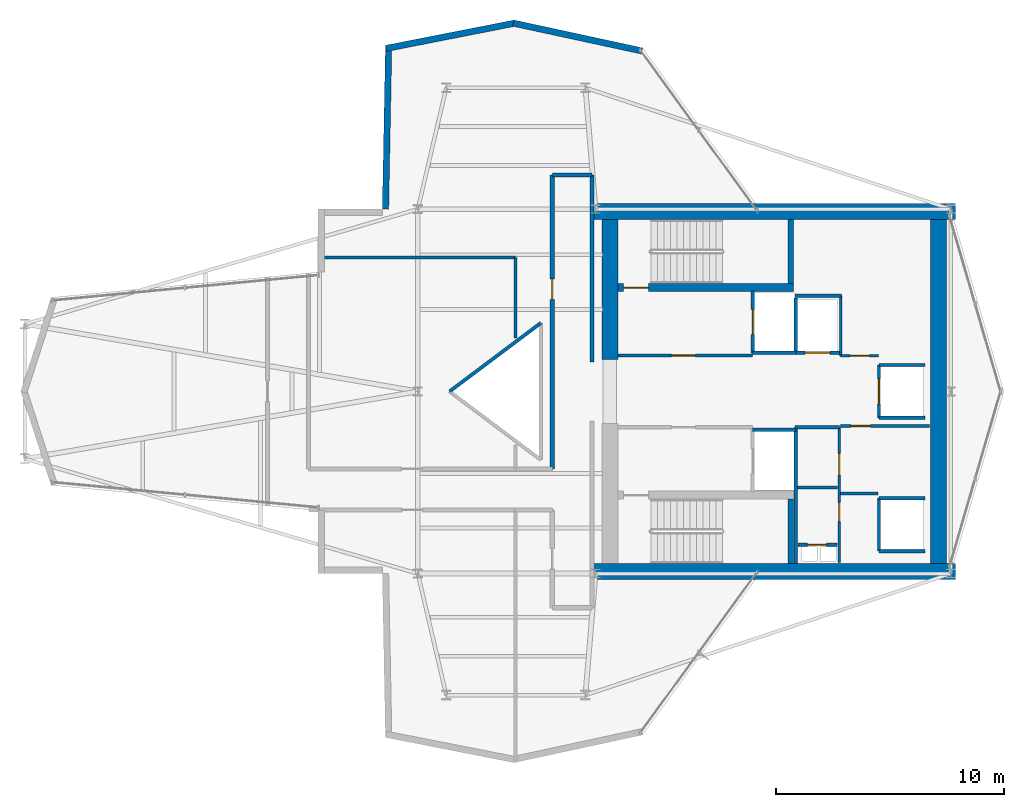
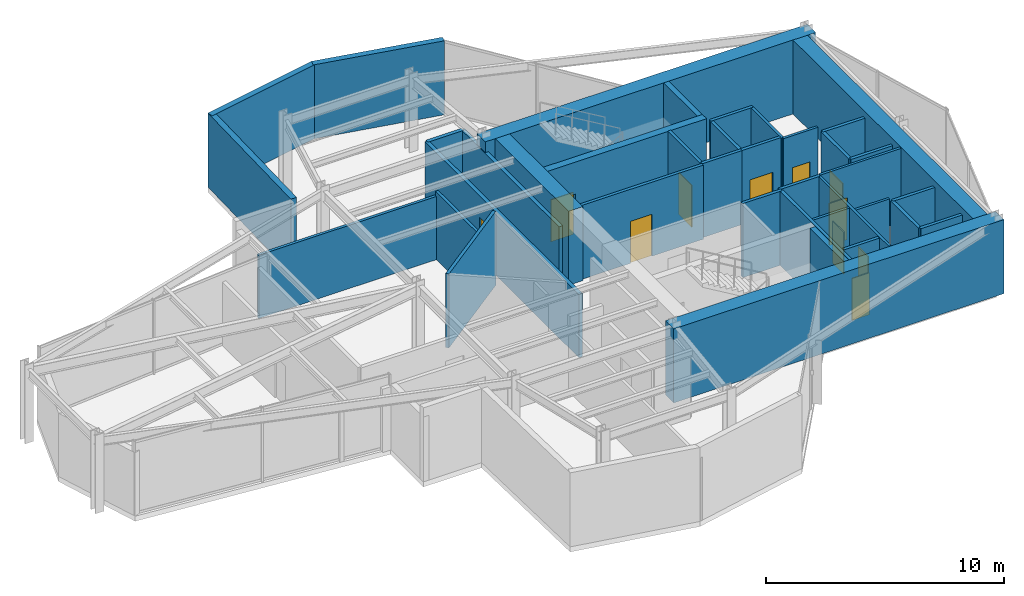
# One storey, part 19 of 21: 38 walls, 11 doors, 11 openings.
"""IFC4 building model written with IfcOpenShell, lengths in metres."""

from ifc_helpers import new_model, si_unit, direction, frame, frame_2d, origin, place, context, subcontext, project, spatial, rectangle, extrude, material, layer, layer_set, type_object, element, fill, save


model = new_model("IFC4")

# Units and contexts
model_context = context("Model", 3, precision=1e-05, world=origin(), true_north=direction((0.0, 1.0)))
body_context = subcontext(model_context, "Body", "Model", "MODEL_VIEW")
ifc_project = project(units=[si_unit("LENGTHUNIT", "METRE"), si_unit("AREAUNIT", "SQUARE_METRE"), si_unit("VOLUMEUNIT", "CUBIC_METRE"), si_unit("PLANEANGLEUNIT", "RADIAN"), si_unit("MASSUNIT", "GRAM", prefix="KILO")], contexts=[model_context])

# Site, building, storey
site_placement = place(None, origin())
site = spatial("IfcSite", under=ifc_project, at=site_placement, CompositionType="ELEMENT")
building_placement = place(site_placement, origin())
building = spatial("IfcBuilding", under=site, at=building_placement, Name="Veymaron Broadcast Tower", CompositionType="ELEMENT")
storey_placement = place(building_placement, frame((0.0, 0.0, 228.300048828125)))
storey = spatial("IfcBuildingStorey", under=building, at=storey_placement, Name="L53", CompositionType="ELEMENT", Elevation=228.300048828125)

# Walls
ifc_material_1 = material(Name="Precast concrete C40/50", Category="concrete")
ifc_layer_1 = layer(ifc_material_1, 0.280029296875)
ifc_layer_set_1 = layer_set([ifc_layer_1], Name="Precast concrete C40/50")
wall_type_1 = type_object("IfcWallType", Name="WALL-EXT-280", PredefinedType="STANDARD", material=ifc_layer_set_1)
wall_1_placement = place(storey_placement, frame((41.038818359375, 38.9453125, 0.0), z_axis=(0.0, 0.0, 1.0), x_axis=(-0.977403545606, 0.211381903286, 0.0)))
element("IfcWall", 1, at=wall_1_placement, inside=storey, type_object=wall_type_1, Name="L53 notched corner facade pier 6-1", PredefinedType="STANDARD", context=body_context, shape_type="SweptSolid", body=[
    extrude(rectangle(XDim=5.776123046875, YDim=0.280029296875, at=frame_2d((2.88818359375, 0.0))), origin(), (0.0, 0.0, 1.0), 3.7900390625),
])
wall_2_placement = place(storey_placement, frame((35.449951171875, 40.16552734375, 0.0), z_axis=(0.0, 0.0, 1.0), x_axis=(-0.981218426529, -0.192899972626, 0.0)))
element("IfcWall", 2, at=wall_2_placement, inside=storey, type_object=wall_type_1, Name="L53 notched corner facade pier 7-1", PredefinedType="STANDARD", context=body_context, shape_type="SweptSolid", body=[
    extrude(rectangle(XDim=5.753662109375, YDim=0.280029296875, at=frame_2d((2.876953125, 0.0))), origin(), (0.0, 0.0, 1.0), 3.7900390625),
])
wall_3_placement = place(storey_placement, frame((29.91748046875, 39.190185546875, 0.0), z_axis=(0.0, 0.0, 1.0), x_axis=(-0.019207643139, -0.999815516205, 0.0)))
element("IfcWall", 3, at=wall_3_placement, inside=storey, type_object=wall_type_1, Name="L53 notched corner facade pier 8-1", PredefinedType="STANDARD", context=body_context, shape_type="SweptSolid", body=[
    extrude(rectangle(XDim=7.194091796875, YDim=0.280029296875, at=frame_2d((3.59716796875, 0.0))), origin(), (0.0, 0.0, 1.0), 3.7900390625),
])

# Wall, opening, door
ifc_material_2 = material(Name="Gypsum fireboard and steel stud framing", Category="steel")
ifc_layer_2 = layer(ifc_material_2, 0.14990234375)
ifc_layer_set_2 = layer_set([ifc_layer_2], Name="Gypsum fireboard and steel stud framing")
wall_type_2 = type_object("IfcWallType", Name="WALL-FIRE-150", PredefinedType="PARTITIONING", material=ifc_layer_set_2)
wall_4_placement = place(storey_placement, frame((39.97998046875, 25.574951171875, 0.0), z_axis=(0.0, 0.0, 1.0), x_axis=(1.0, 0.0, 0.0)))
wall_4 = element("IfcWall", 4, at=wall_4_placement, inside=storey, type_object=wall_type_2, Name="L53 partition IW-L53-FFLN-S", PredefinedType="PARTITIONING", context=body_context, shape_type="SweptSolid", body=[
    extrude(rectangle(XDim=5.89990234375, YDim=0.14990234375, at=frame_2d((2.949951171875, 0.0))), origin(), (0.0, 0.0, 1.0), 3.7900390625),
])
opening_1_placement = place(wall_4_placement, frame((2.35009765625, 0.0, 0.0)))
opening_1 = element("IfcOpeningElement", 5, at=opening_1_placement, cuts=wall_4, Name="Opening ID-FL1", PredefinedType="OPENING", context=body_context, shape_type="SweptSolid", body=[
    extrude(rectangle(XDim=1.050048828125, YDim=2.14990234375, at=frame_2d((0.52490234375, 1.074951171875))), frame((0.0, 0.0849609375, 0.0), z_axis=(0.0, -1.0, 0.0), x_axis=(1.0, 0.0, 0.0)), (0.0, 0.0, 1.0), 0.169921875),
])
ifc_material_3 = material(Name="Fire-rated painted hollow steel ASTM A653", Category="steel")
door_type_1 = type_object("IfcDoorType", Name="DOOR-FIRE-1050", OperationType="NOTDEFINED", PredefinedType="DOOR", material=ifc_material_3)
door_1_placement = place(opening_1_placement, origin())
door_1 = element("IfcDoor", 6, at=door_1_placement, inside=storey, type_object=door_type_1, Name="L53 door DR-L53-FFLN", OperationType="SINGLE_SWING_LEFT", OverallHeight=2.14990234375, OverallWidth=1.050048828125, PredefinedType="DOOR", context=body_context, shape_type="SweptSolid", body=[
    extrude(rectangle(XDim=1.050048828125, YDim=2.14990234375, at=frame_2d((0.52490234375, 1.074951171875))), frame((0.0, 0.02490234375, 0.0), z_axis=(0.0, -1.0, 0.0), x_axis=(1.0, 0.0, 0.0)), (0.0, 0.0, 1.0), 0.050048828125),
])
fill(opening_1, door_1)

wall_5_placement = place(storey_placement, frame((45.89501953125, 25.68994140625, 0.0), z_axis=(0.0, 0.0, 1.0), x_axis=(0.0, 1.0, 0.0)))
wall_5 = element("IfcWall", 7, at=wall_5_placement, inside=storey, type_object=wall_type_2, Name="L53 partition IW-L53-SHW-FFL-1", PredefinedType="PARTITIONING", context=body_context, shape_type="SweptSolid", body=[
    extrude(rectangle(XDim=2.719970703125, YDim=0.14990234375, at=frame_2d((1.35986328125, 0.0))), origin(), (0.0, 0.0, 1.0), 3.7900390625),
])
opening_2_placement = place(wall_5_placement, frame((0.81005859375, 0.0, 0.0)))
opening_2 = element("IfcOpeningElement", 8, at=opening_2_placement, cuts=wall_5, Name="Opening LD", PredefinedType="OPENING", context=body_context, shape_type="SweptSolid", body=[
    extrude(rectangle(XDim=1.10009765625, YDim=2.14990234375, at=frame_2d((0.550048828125, 1.074951171875))), frame((0.0, 0.0849609375, 0.0), z_axis=(0.0, -1.0, 0.0), x_axis=(1.0, 0.0, 0.0)), (0.0, 0.0, 1.0), 0.169921875),
])
ifc_material_4 = material(Name="Brushed stainless steel AISI 304", Category="steel")
door_type_2 = type_object("IfcDoorType", Name="DOOR-LIFT-1100", OperationType="DOUBLE_DOOR_SLIDING", PredefinedType="DOOR", material=ifc_material_4)
door_2_placement = place(opening_2_placement, frame((1.10009765625, 0.0, 0.0), z_axis=(0.0, 0.0, 1.0), x_axis=(-1.0, 0.0, 0.0)))
door_2 = element("IfcDoor", 9, at=door_2_placement, inside=storey, type_object=door_type_2, Name="L53 door LD-L53-FFL-1", OperationType="DOUBLE_DOOR_SLIDING", OverallHeight=2.14990234375, OverallWidth=1.10009765625, PredefinedType="DOOR", context=body_context, shape_type="SweptSolid", body=[
    extrude(rectangle(XDim=1.10009765625, YDim=2.14990234375, at=frame_2d((0.550048828125, 1.074951171875))), frame((0.0, 0.02490234375, 0.0), z_axis=(0.0, -1.0, 0.0), x_axis=(1.0, 0.0, 0.0)), (0.0, 0.0, 1.0), 0.050048828125),
])
fill(opening_2, door_2)

# Walls
for number, where, z_axis, x_axis, name in (
    (10, (45.89501953125, 25.68994140625, 0.0), (0.0, 0.0, 1.0), (1.0, 0.0, 0.0), "L53 partition IW-L53-SHS-FFL-1"),
    (11, (45.89501953125, 22.31005859375, 0.0), (0.0, 0.0, 1.0), (1.0, 0.0, 0.0), "L53 partition IW-L53-SHN-FFL-2"),
):
    element("IfcWall", number, at=place(storey_placement, frame(where, z_axis=z_axis, x_axis=x_axis)), inside=storey, type_object=wall_type_2, Name=name, PredefinedType="PARTITIONING", context=body_context, shape_type="SweptSolid", body=[
        extrude(rectangle(XDim=1.9150390625, YDim=0.14990234375, at=frame_2d((0.95751953125, 0.0))), origin(), (0.0, 0.0, 1.0), 3.7900390625),
    ])

# Wall, opening, door
wall_6_placement = place(storey_placement, frame((47.7900390625, 25.695068359375, 0.0), z_axis=(0.0, 0.0, 1.0), x_axis=(1.0, 0.0, 0.0)))
wall_6 = element("IfcWall", 12, at=wall_6_placement, inside=storey, type_object=wall_type_2, Name="L53 partition IW-L53-SHS-SL-1", PredefinedType="PARTITIONING", context=body_context, shape_type="SweptSolid", body=[
    extrude(rectangle(XDim=1.919921875, YDim=0.14990234375, at=frame_2d((0.9599609375, 0.0))), origin(), (0.0, 0.0, 1.0), 3.7900390625),
])
opening_3_placement = place(wall_6_placement, frame((0.409912109375, 0.0, 0.0)))
opening_3 = element("IfcOpeningElement", 13, at=opening_3_placement, cuts=wall_6, Name="Opening LD", PredefinedType="OPENING", context=body_context, shape_type="SweptSolid", body=[
    extrude(rectangle(XDim=1.10009765625, YDim=2.14990234375, at=frame_2d((0.550048828125, 1.074951171875))), frame((0.0, 0.0849609375, 0.0), z_axis=(0.0, -1.0, 0.0), x_axis=(1.0, 0.0, 0.0)), (0.0, 0.0, 1.0), 0.169921875),
])
door_3_placement = place(opening_3_placement, frame((1.10009765625, 0.0, 0.0), z_axis=(0.0, 0.0, 1.0), x_axis=(-1.0, 0.0, 0.0)))
door_3 = element("IfcDoor", 14, at=door_3_placement, inside=storey, type_object=door_type_2, Name="L53 door LD-L53-SL-1", OperationType="DOUBLE_DOOR_SLIDING", OverallHeight=2.14990234375, OverallWidth=1.10009765625, PredefinedType="DOOR", context=body_context, shape_type="SweptSolid", body=[
    extrude(rectangle(XDim=1.10009765625, YDim=2.14990234375, at=frame_2d((0.550048828125, 1.074951171875))), frame((0.0, 0.02490234375, 0.0), z_axis=(0.0, -1.0, 0.0), x_axis=(1.0, 0.0, 0.0)), (0.0, 0.0, 1.0), 0.050048828125),
])
fill(opening_3, door_3)

# Wall
wall_7_placement = place(storey_placement, frame((47.7900390625, 25.695068359375, 0.0), z_axis=(0.0, 0.0, 1.0), x_axis=(0.0, 1.0, 0.0)))
element("IfcWall", 15, at=wall_7_placement, inside=storey, type_object=wall_type_2, Name="L53 partition IW-L53-SHW-SL-1", PredefinedType="PARTITIONING", context=body_context, shape_type="SweptSolid", body=[
    extrude(rectangle(XDim=2.4150390625, YDim=0.14990234375, at=frame_2d((1.20751953125, 0.0))), origin(), (0.0, 0.0, 1.0), 3.7900390625),
])

# Wall, opening, door
wall_8_placement = place(storey_placement, frame((51.445068359375, 22.840087890625, 0.0), z_axis=(0.0, 0.0, 1.0), x_axis=(0.0, 1.0, 0.0)))
wall_8 = element("IfcWall", 16, at=wall_8_placement, inside=storey, type_object=wall_type_2, Name="L53 partition IW-L53-SHW-PM3", PredefinedType="PARTITIONING", context=body_context, shape_type="SweptSolid", body=[
    extrude(rectangle(XDim=2.31982421875, YDim=0.14990234375, at=frame_2d((1.159912109375, 0.0))), origin(), (0.0, 0.0, 1.0), 3.7900390625),
])
opening_4_placement = place(wall_8_placement, frame((0.610107421875, 0.0, 0.0)))
opening_4 = element("IfcOpeningElement", 17, at=opening_4_placement, cuts=wall_8, Name="Opening LD", PredefinedType="OPENING", context=body_context, shape_type="SweptSolid", body=[
    extrude(rectangle(XDim=1.10009765625, YDim=2.14990234375, at=frame_2d((0.550048828125, 1.074951171875))), frame((0.0, 0.0849609375, 0.0), z_axis=(0.0, -1.0, 0.0), x_axis=(1.0, 0.0, 0.0)), (0.0, 0.0, 1.0), 0.169921875),
])
door_4_placement = place(opening_4_placement, frame((1.10009765625, 0.0, 0.0), z_axis=(0.0, 0.0, 1.0), x_axis=(-1.0, 0.0, 0.0)))
door_4 = element("IfcDoor", 18, at=door_4_placement, inside=storey, type_object=door_type_2, Name="L53 door LD-L53-PM3", OperationType="DOUBLE_DOOR_SLIDING", OverallHeight=2.14990234375, OverallWidth=1.10009765625, PredefinedType="DOOR", context=body_context, shape_type="SweptSolid", body=[
    extrude(rectangle(XDim=1.10009765625, YDim=2.14990234375, at=frame_2d((0.550048828125, 1.074951171875))), frame((0.0, 0.02490234375, 0.0), z_axis=(0.0, -1.0, 0.0), x_axis=(1.0, 0.0, 0.0)), (0.0, 0.0, 1.0), 0.050048828125),
])
fill(opening_4, door_4)

# Walls
for number, where, z_axis, x_axis, name in (
    (19, (51.445068359375, 22.840087890625, 0.0), (0.0, 0.0, 1.0), (1.0, 0.0, 0.0), "L53 partition IW-L53-SHS-PM3"),
    (20, (51.445068359375, 25.159912109375, 0.0), (0.0, 0.0, 1.0), (1.0, 0.0, 0.0), "L53 partition IW-L53-SHN-PM3"),
):
    element("IfcWall", number, at=place(storey_placement, frame(where, z_axis=z_axis, x_axis=x_axis)), inside=storey, type_object=wall_type_2, Name=name, PredefinedType="PARTITIONING", context=body_context, shape_type="SweptSolid", body=[
        extrude(rectangle(XDim=2.014892578125, YDim=0.14990234375, at=frame_2d((1.00732421875, 0.0))), origin(), (0.0, 0.0, 1.0), 3.7900390625),
    ])
wall_9_placement = place(storey_placement, frame((51.445068359375, 16.989990234375, 0.0), z_axis=(0.0, 0.0, 1.0), x_axis=(0.0, 1.0, 0.0)))
element("IfcWall", 21, at=wall_9_placement, inside=storey, type_object=wall_type_2, Name="L53 partition IW-L53-SHW-PH1", PredefinedType="PARTITIONING", context=body_context, shape_type="SweptSolid", body=[
    extrude(rectangle(XDim=2.320068359375, YDim=0.14990234375, at=frame_2d((1.16015625, 0.0))), origin(), (0.0, 0.0, 1.0), 3.7900390625),
])
for number, where, z_axis, x_axis, name in (
    (22, (51.445068359375, 16.989990234375, 0.0), (0.0, 0.0, 1.0), (1.0, 0.0, 0.0), "L53 partition IW-L53-SHS-PH1"),
    (23, (51.445068359375, 19.31005859375, 0.0), (0.0, 0.0, 1.0), (1.0, 0.0, 0.0), "L53 partition IW-L53-SHN-PH1"),
):
    element("IfcWall", number, at=place(storey_placement, frame(where, z_axis=z_axis, x_axis=x_axis)), inside=storey, type_object=wall_type_2, Name=name, PredefinedType="PARTITIONING", context=body_context, shape_type="SweptSolid", body=[
        extrude(rectangle(XDim=2.014892578125, YDim=0.14990234375, at=frame_2d((1.00732421875, 0.0))), origin(), (0.0, 0.0, 1.0), 3.7900390625),
    ])

# Wall, opening, door
wall_10_placement = place(storey_placement, frame((47.8798828125, 17.260009765625, 0.0), z_axis=(0.0, 0.0, 1.0), x_axis=(1.0, 0.0, 0.0)))
wall_10 = element("IfcWall", 24, at=wall_10_placement, inside=storey, type_object=wall_type_2, Name="L53 partition IW-L53-RIS-N", PredefinedType="PARTITIONING", context=body_context, shape_type="SweptSolid", body=[
    extrude(rectangle(XDim=1.72021484375, YDim=0.14990234375, at=frame_2d((0.860107421875, 0.0))), origin(), (0.0, 0.0, 1.0), 3.7900390625),
])
opening_5_placement = place(wall_10_placement, frame((0.419921875, 0.0, 0.0)))
opening_5 = element("IfcOpeningElement", 25, at=opening_5_placement, cuts=wall_10, Name="Opening ID-RS1", PredefinedType="OPENING", context=body_context, shape_type="SweptSolid", body=[
    extrude(rectangle(XDim=0.85009765625, YDim=2.14990234375, at=frame_2d((0.425048828125, 1.074951171875))), frame((0.0, 0.0849609375, 0.0), z_axis=(0.0, -1.0, 0.0), x_axis=(1.0, 0.0, 0.0)), (0.0, 0.0, 1.0), 0.169921875),
])
ifc_material_5 = material(Name="Fire-rated powder-coated steel riser leaf", Category="steel")
door_type_3 = type_object("IfcDoorType", Name="DOOR-RIS-850", OperationType="NOTDEFINED", PredefinedType="TRAPDOOR", material=ifc_material_5)
door_5_placement = place(opening_5_placement, origin())
door_5 = element("IfcDoor", 26, at=door_5_placement, inside=storey, type_object=door_type_3, Name="L53 door DR-L53-RIS", OperationType="SINGLE_SWING_LEFT", OverallHeight=2.14990234375, OverallWidth=0.85009765625, PredefinedType="TRAPDOOR", context=body_context, shape_type="SweptSolid", body=[
    extrude(rectangle(XDim=0.85009765625, YDim=2.14990234375, at=frame_2d((0.425048828125, 1.074951171875))), frame((0.0, 0.02490234375, 0.0), z_axis=(0.0, -1.0, 0.0), x_axis=(1.0, 0.0, 0.0)), (0.0, 0.0, 1.0), 0.050048828125),
])
fill(opening_5, door_5)

# Walls
wall_11_placement = place(storey_placement, frame((47.760009765625, 22.425048828125, 0.0), z_axis=(0.0, 0.0, 1.0), x_axis=(1.0, 0.0, 0.0)))
element("IfcWall", 27, at=wall_11_placement, inside=storey, type_object=wall_type_2, Name="L53 partition IW-L53-SM-N", PredefinedType="PARTITIONING", context=body_context, shape_type="SweptSolid", body=[
    extrude(rectangle(XDim=1.9599609375, YDim=0.14990234375, at=frame_2d((0.97998046875, 0.0))), origin(), (0.0, 0.0, 1.0), 3.7900390625),
])
wall_12_placement = place(storey_placement, frame((47.780029296875, 16.449951171875, 0.0), z_axis=(0.0, 0.0, 1.0), x_axis=(0.0, 1.0, 0.0)))
element("IfcWall", 28, at=wall_12_placement, inside=storey, type_object=wall_type_2, Name="L53 partition IW-L53-SM-W", PredefinedType="PARTITIONING", context=body_context, shape_type="SweptSolid", body=[
    extrude(rectangle(XDim=5.97509765625, YDim=0.14990234375, at=frame_2d((2.987548828125, 0.0))), origin(), (0.0, 0.0, 1.0), 3.7900390625),
])
wall_13_placement = place(storey_placement, frame((47.760009765625, 28.199951171875, 0.0), z_axis=(0.0, 0.0, 1.0), x_axis=(1.0, 0.0, 0.0)))
element("IfcWall", 29, at=wall_13_placement, inside=storey, type_object=wall_type_2, Name="L53 partition IW-L53-F2-SW", PredefinedType="PARTITIONING", context=body_context, shape_type="SweptSolid", body=[
    extrude(rectangle(XDim=2.0400390625, YDim=0.14990234375, at=frame_2d((1.02001953125, 0.0))), origin(), (0.0, 0.0, 1.0), 3.7900390625),
])

# Wall, opening, door
ifc_material_6 = material(Name="Concrete C40/50", Category="concrete")
ifc_layer_3 = layer(ifc_material_6, 0.179931640625)
ifc_layer_set_3 = layer_set([ifc_layer_3], Name="Concrete C40/50")
wall_type_3 = type_object("IfcWallType", Name="WALL-FIRE-180", PredefinedType="SOLIDWALL", material=ifc_layer_set_3)
wall_14_placement = place(storey_placement, frame((37.10009765625, 20.60009765625, 0.0), z_axis=(0.0, 0.0, 1.0), x_axis=(0.0, 1.0, 0.0)))
wall_14 = element("IfcWall", 30, at=wall_14_placement, inside=storey, type_object=wall_type_3, Name="L53 partition IW-L53-P09", PredefinedType="SOLIDWALL", context=body_context, shape_type="SweptSolid", body=[
    extrude(rectangle(XDim=12.89990234375, YDim=0.179931640625, at=frame_2d((6.449951171875, 0.0))), origin(), (0.0, 0.0, 1.0), 3.240966796875),
])
opening_6_placement = place(wall_14_placement, frame((7.43994140625, 0.0, 0.0)))
opening_6 = element("IfcOpeningElement", 31, at=opening_6_placement, cuts=wall_14, Name="Opening ID-RM2", PredefinedType="OPENING", context=body_context, shape_type="SweptSolid", body=[
    extrude(rectangle(XDim=0.89990234375, YDim=2.14990234375, at=frame_2d((0.449951171875, 1.074951171875))), frame((0.0, 0.10009765625, 0.0), z_axis=(0.0, -1.0, 0.0), x_axis=(1.0, 0.0, 0.0)), (0.0, 0.0, 1.0), 0.199951171875),
])
ifc_material_7 = material(Name="Acoustic solid-core European oak veneer timber", Category="wood")
door_type_4 = type_object("IfcDoorType", Name="DOOR-INT-900", OperationType="NOTDEFINED", PredefinedType="DOOR", material=ifc_material_7)
door_6_placement = place(opening_6_placement, frame((0.89990234375, 0.0, 0.0), z_axis=(0.0, 0.0, 1.0), x_axis=(-1.0, 0.0, 0.0)))
door_6 = element("IfcDoor", 32, at=door_6_placement, inside=storey, type_object=door_type_4, Name="L53 door DR-L53-P09", OperationType="SINGLE_SWING_RIGHT", OverallHeight=2.14990234375, OverallWidth=0.89990234375, PredefinedType="DOOR", context=body_context, shape_type="SweptSolid", body=[
    extrude(rectangle(XDim=0.89990234375, YDim=2.14990234375, at=frame_2d((0.449951171875, 1.074951171875))), frame((0.0, 0.02490234375, 0.0), z_axis=(0.0, -1.0, 0.0), x_axis=(1.0, 0.0, 0.0)), (0.0, 0.0, 1.0), 0.050048828125),
])
fill(opening_6, door_6)

# Walls
wall_15_placement = place(storey_placement, frame((38.85009765625, 25.300048828125, 0.0), z_axis=(0.0, 0.0, 1.0), x_axis=(0.0, 1.0, 0.0)))
element("IfcWall", 33, at=wall_15_placement, inside=storey, type_object=wall_type_3, Name="L53 partition IW-L53-P10", PredefinedType="SOLIDWALL", context=body_context, shape_type="SweptSolid", body=[
    extrude(rectangle(XDim=8.199951171875, YDim=0.179931640625, at=frame_2d((4.10009765625, 0.0))), origin(), (0.0, 0.0, 1.0), 3.240966796875),
])
wall_16_placement = place(storey_placement, frame((37.10009765625, 33.5, 0.0), z_axis=(0.0, 0.0, 1.0), x_axis=(1.0, 0.0, 0.0)))
element("IfcWall", 34, at=wall_16_placement, inside=storey, type_object=wall_type_3, Name="L53 partition IW-L53-P11", PredefinedType="SOLIDWALL", context=body_context, shape_type="SweptSolid", body=[
    extrude(rectangle(XDim=1.75, YDim=0.179931640625, at=frame_2d((0.875, 0.0))), origin(), (0.0, 0.0, 1.0), 3.240966796875),
])
ifc_material_8 = material(Name="Fire-rated laminated glass in aluminium frame", Category="aluminium")
ifc_layer_4 = layer(ifc_material_8, 0.14990234375)
ifc_layer_set_4 = layer_set([ifc_layer_4], Name="Fire-rated laminated glass in aluminium frame")
wall_type_4 = type_object("IfcWallType", Name="WALL-GLZ-150", PredefinedType="MOVABLE", material=ifc_layer_set_4)
wall_17_placement = place(storey_placement, frame((36.60009765625, 27.0, 0.0), z_axis=(0.0, 0.0, 1.0), x_axis=(-0.8, -0.6, 0.0)))
element("IfcWall", 35, at=wall_17_placement, inside=storey, type_object=wall_type_4, Name="L53 partition IW-L53-ATR3", PredefinedType="MOVABLE", context=body_context, shape_type="SweptSolid", body=[
    extrude(rectangle(XDim=5.0, YDim=0.14990234375, at=frame_2d((2.5, 0.0))), origin(), (0.0, 0.0, 1.0), 3.7900390625),
])
ifc_material_9 = material(Name="Acoustic gypsum board and galvanized stud", Category="gypsum")
ifc_layer_5 = layer(ifc_material_9, 0.1201171875)
ifc_layer_set_5 = layer_set([ifc_layer_5], Name="Acoustic gypsum board and galvanized stud")
wall_type_5 = type_object("IfcWallType", Name="WALL-PART-120", PredefinedType="PARTITIONING", material=ifc_layer_set_5)
wall_18_placement = place(storey_placement, frame((47.860107421875, 19.780029296875, 0.0), z_axis=(0.0, 0.0, 1.0), x_axis=(1.0, 0.0, 0.0)))
element("IfcWall", 36, at=wall_18_placement, inside=storey, type_object=wall_type_5, Name="L53 partition IW-L53-SM-DIV", PredefinedType="PARTITIONING", context=body_context, shape_type="SweptSolid", body=[
    extrude(rectangle(XDim=1.760009765625, YDim=0.1201171875, at=frame_2d((0.8798828125, 0.0))), origin(), (0.0, 0.0, 1.0), 3.7900390625),
])

# Wall, openings, doors
wall_19_placement = place(storey_placement, frame((49.699951171875, 16.47998046875, 0.0), z_axis=(0.0, 0.0, 1.0), x_axis=(0.0, 1.0, 0.0)))
wall_19 = element("IfcWall", 37, at=wall_19_placement, inside=storey, type_object=wall_type_5, Name="L53 partition IW-L53-SM-E", PredefinedType="PARTITIONING", context=body_context, shape_type="SweptSolid", body=[
    extrude(rectangle(XDim=5.945068359375, YDim=0.1201171875, at=frame_2d((2.97265625, 0.0))), origin(), (0.0, 0.0, 1.0), 3.7900390625),
])
opening_7_placement = place(wall_19_placement, frame((1.800048828125, 0.0, 0.0)))
opening_7 = element("IfcOpeningElement", 38, at=opening_7_placement, cuts=wall_19, Name="Opening ID-WC1", PredefinedType="OPENING", context=body_context, shape_type="SweptSolid", body=[
    extrude(rectangle(XDim=0.85009765625, YDim=2.14990234375, at=frame_2d((0.425048828125, 1.074951171875))), frame((0.0, 0.070068359375, 0.0), z_axis=(0.0, -1.0, 0.0), x_axis=(1.0, 0.0, 0.0)), (0.0, 0.0, 1.0), 0.14013671875),
])
opening_8_placement = place(wall_19_placement, frame((3.85009765625, 0.0, 0.0)))
opening_8 = element("IfcOpeningElement", 39, at=opening_8_placement, cuts=wall_19, Name="Opening ID-RM1", PredefinedType="OPENING", context=body_context, shape_type="SweptSolid", body=[
    extrude(rectangle(XDim=0.949951171875, YDim=2.14990234375, at=frame_2d((0.47509765625, 1.074951171875))), frame((0.0, 0.070068359375, 0.0), z_axis=(0.0, -1.0, 0.0), x_axis=(1.0, 0.0, 0.0)), (0.0, 0.0, 1.0), 0.14013671875),
])
ifc_material_10 = material(Name="Moisture-resistant high-pressure laminate timber", Category="wood")
door_type_5 = type_object("IfcDoorType", Name="DOOR-INT-850", OperationType="NOTDEFINED", PredefinedType="DOOR", material=ifc_material_10)
door_7_placement = place(opening_7_placement, frame((0.85009765625, 0.0, 0.0), z_axis=(0.0, 0.0, 1.0), x_axis=(-1.0, 0.0, 0.0)))
door_7 = element("IfcDoor", 40, at=door_7_placement, inside=storey, type_object=door_type_5, Name="L53 door DR-L53-SWC", OperationType="SINGLE_SWING_LEFT", OverallHeight=2.14990234375, OverallWidth=0.85009765625, PredefinedType="DOOR", context=body_context, shape_type="SweptSolid", body=[
    extrude(rectangle(XDim=0.85009765625, YDim=2.14990234375, at=frame_2d((0.425048828125, 1.074951171875))), frame((0.0, 0.02490234375, 0.0), z_axis=(0.0, -1.0, 0.0), x_axis=(1.0, 0.0, 0.0)), (0.0, 0.0, 1.0), 0.050048828125),
])
fill(opening_7, door_7)
door_type_6 = type_object("IfcDoorType", Name="DOOR-INT-950", OperationType="NOTDEFINED", PredefinedType="DOOR", material=ifc_material_7)
door_8_placement = place(opening_8_placement, frame((0.949951171875, 0.0, 0.0), z_axis=(0.0, 0.0, 1.0), x_axis=(-1.0, 0.0, 0.0)))
door_8 = element("IfcDoor", 41, at=door_8_placement, inside=storey, type_object=door_type_6, Name="L53 door DR-L53-AWC", OperationType="SINGLE_SWING_RIGHT", OverallHeight=2.14990234375, OverallWidth=0.949951171875, PredefinedType="DOOR", context=body_context, shape_type="SweptSolid", body=[
    extrude(rectangle(XDim=0.949951171875, YDim=2.14990234375, at=frame_2d((0.47509765625, 1.074951171875))), frame((0.0, 0.02490234375, 0.0), z_axis=(0.0, -1.0, 0.0), x_axis=(1.0, 0.0, 0.0)), (0.0, 0.0, 1.0), 0.050048828125),
])
fill(opening_8, door_8)

# Wall, opening, door
wall_20_placement = place(storey_placement, frame((49.760009765625, 22.47998046875, 0.0), z_axis=(0.0, 0.0, 1.0), x_axis=(1.0, 0.0, 0.0)))
wall_20 = element("IfcWall", 42, at=wall_20_placement, inside=storey, type_object=wall_type_5, Name="L53 partition IW-L53-F2S-N", PredefinedType="PARTITIONING", context=body_context, shape_type="SweptSolid", body=[
    extrude(rectangle(XDim=3.89990234375, YDim=0.1201171875, at=frame_2d((1.949951171875, 0.0))), origin(), (0.0, 0.0, 1.0), 3.7900390625),
])
opening_9_placement = place(wall_20_placement, frame((0.449951171875, 0.0, 0.0)))
opening_9 = element("IfcOpeningElement", 43, at=opening_9_placement, cuts=wall_20, Name="Opening ID-WC1", PredefinedType="OPENING", context=body_context, shape_type="SweptSolid", body=[
    extrude(rectangle(XDim=0.85009765625, YDim=2.14990234375, at=frame_2d((0.425048828125, 1.074951171875))), frame((0.0, 0.070068359375, 0.0), z_axis=(0.0, -1.0, 0.0), x_axis=(1.0, 0.0, 0.0)), (0.0, 0.0, 1.0), 0.14013671875),
])
door_9_placement = place(opening_9_placement, frame((0.85009765625, 0.0, 0.0), z_axis=(0.0, 0.0, 1.0), x_axis=(-1.0, 0.0, 0.0)))
door_9 = element("IfcDoor", 44, at=door_9_placement, inside=storey, type_object=door_type_5, Name="L53 door DR-L53-F2S", OperationType="SINGLE_SWING_LEFT", OverallHeight=2.14990234375, OverallWidth=0.85009765625, PredefinedType="DOOR", context=body_context, shape_type="SweptSolid", body=[
    extrude(rectangle(XDim=0.85009765625, YDim=2.14990234375, at=frame_2d((0.425048828125, 1.074951171875))), frame((0.0, 0.02490234375, 0.0), z_axis=(0.0, -1.0, 0.0), x_axis=(1.0, 0.0, 0.0)), (0.0, 0.0, 1.0), 0.050048828125),
])
fill(opening_9, door_9)

# Walls
wall_21_placement = place(storey_placement, frame((49.760009765625, 19.52001953125, 0.0), z_axis=(0.0, 0.0, 1.0), x_axis=(1.0, 0.0, 0.0)))
element("IfcWall", 45, at=wall_21_placement, inside=storey, type_object=wall_type_5, Name="L53 partition IW-L53-F2S-S", PredefinedType="PARTITIONING", context=body_context, shape_type="SweptSolid", body=[
    extrude(rectangle(XDim=1.639892578125, YDim=0.1201171875, at=frame_2d((0.81982421875, 0.0))), origin(), (0.0, 0.0, 1.0), 3.7900390625),
])
wall_22_placement = place(storey_placement, frame((49.760009765625, 25.56005859375, 0.0), z_axis=(0.0, 0.0, 1.0), x_axis=(0.0, 1.0, 0.0)))
element("IfcWall", 46, at=wall_22_placement, inside=storey, type_object=wall_type_5, Name="L53 partition IW-L53-F2-W1", PredefinedType="PARTITIONING", context=body_context, shape_type="SweptSolid", body=[
    extrude(rectangle(XDim=2.659912109375, YDim=0.1201171875, at=frame_2d((1.330078125, 0.0))), origin(), (0.0, 0.0, 1.0), 3.7900390625),
])

# Wall, opening, door
wall_23_placement = place(storey_placement, frame((49.760009765625, 25.56005859375, 0.0), z_axis=(0.0, 0.0, 1.0), x_axis=(1.0, 0.0, 0.0)))
wall_23 = element("IfcWall", 47, at=wall_23_placement, inside=storey, type_object=wall_type_5, Name="L53 partition IW-L53-F2-S", PredefinedType="PARTITIONING", context=body_context, shape_type="SweptSolid", body=[
    extrude(rectangle(XDim=1.659912109375, YDim=0.1201171875, at=frame_2d((0.830078125, 0.0))), origin(), (0.0, 0.0, 1.0), 3.7900390625),
])
opening_10_placement = place(wall_23_placement, frame((0.419921875, 0.0, 0.0)))
opening_10 = element("IfcOpeningElement", 48, at=opening_10_placement, cuts=wall_23, Name="Opening ID-WC1", PredefinedType="OPENING", context=body_context, shape_type="SweptSolid", body=[
    extrude(rectangle(XDim=0.85009765625, YDim=2.14990234375, at=frame_2d((0.425048828125, 1.074951171875))), frame((0.0, 0.070068359375, 0.0), z_axis=(0.0, -1.0, 0.0), x_axis=(1.0, 0.0, 0.0)), (0.0, 0.0, 1.0), 0.14013671875),
])
door_10_placement = place(opening_10_placement, origin())
door_10 = element("IfcDoor", 49, at=door_10_placement, inside=storey, type_object=door_type_5, Name="L53 door DR-L53-F2A", OperationType="SINGLE_SWING_LEFT", OverallHeight=2.14990234375, OverallWidth=0.85009765625, PredefinedType="DOOR", context=body_context, shape_type="SweptSolid", body=[
    extrude(rectangle(XDim=0.85009765625, YDim=2.14990234375, at=frame_2d((0.425048828125, 1.074951171875))), frame((0.0, 0.02490234375, 0.0), z_axis=(0.0, -1.0, 0.0), x_axis=(1.0, 0.0, 0.0)), (0.0, 0.0, 1.0), 0.050048828125),
])
fill(opening_10, door_10)

# Walls
ifc_material_11 = material(Name="Double-layer acoustic gypsum and stud", Category="gypsum")
ifc_layer_6 = layer(ifc_material_11, 0.135009765625)
ifc_layer_set_6 = layer_set([ifc_layer_6], Name="Double-layer acoustic gypsum and stud")
wall_type_6 = type_object("IfcWallType", Name="WALL-PART-135", PredefinedType="PARTITIONING", material=ifc_layer_set_6)
wall_24_placement = place(storey_placement, frame((26.823974609375, 29.868896484375, 0.0), z_axis=(0.0, 0.0, 1.0), x_axis=(1.0, 0.0, 0.0)))
element("IfcWall", 50, at=wall_24_placement, inside=storey, type_object=wall_type_6, Name="L53 partition IW-L53-P14", PredefinedType="PARTITIONING", context=body_context, shape_type="SweptSolid", body=[
    extrude(rectangle(XDim=8.658935546875, YDim=0.135009765625, at=frame_2d((4.32958984375, 0.0))), origin(), (0.0, 0.0, 1.0), 3.240966796875),
])
wall_25_placement = place(storey_placement, frame((35.48291015625, 26.349853515625, 0.0), z_axis=(0.0, 0.0, 1.0), x_axis=(0.0, 1.0, 0.0)))
element("IfcWall", 51, at=wall_25_placement, inside=storey, type_object=wall_type_6, Name="L53 partition IW-L53-P15", PredefinedType="PARTITIONING", context=body_context, shape_type="SweptSolid", body=[
    extrude(rectangle(XDim=3.51904296875, YDim=0.135009765625, at=frame_2d((1.759521484375, 0.0))), origin(), (0.0, 0.0, 1.0), 3.468017578125),
])
ifc_material_12 = material(Name="Concrete C50/60", Category="concrete")
ifc_layer_7 = layer(ifc_material_12, 0.25)
ifc_layer_set_7 = layer_set([ifc_layer_7], Name="Concrete C50/60")
wall_type_7 = type_object("IfcWallType", Name="WALL-SHEAR-250", PredefinedType="SHEAR", material=ifc_layer_set_7)
for number, where, z_axis, x_axis, name in (
    (52, (47.56494140625, 28.72998046875, 0.0), (0.0, 0.0, 1.0), (0.0, 1.0, 0.0), "L53 Core Wall north stair east shear"),
    (53, (47.56494140625, 16.449951171875, 0.0), (0.0, 0.0, 1.0), (0.0, 1.0, 0.0), "L53 Core Wall south stair east shear"),
):
    element("IfcWall", number, at=place(storey_placement, frame(where, z_axis=z_axis, x_axis=x_axis)), inside=storey, type_object=wall_type_7, Name=name, PredefinedType="SHEAR", context=body_context, shape_type="SweptSolid", body=[
        extrude(rectangle(XDim=2.820068359375, YDim=0.25, at=frame_2d((1.41015625, 0.0))), origin(), (0.0, 0.0, 1.0), 3.7900390625),
    ])

# Wall, opening, door
ifc_layer_8 = layer(ifc_material_12, 0.35009765625)
ifc_layer_set_8 = layer_set([ifc_layer_8], Name="Concrete C50/60")
wall_type_8 = type_object("IfcWallType", Name="WALL-SHEAR-350", PredefinedType="SHEAR", material=ifc_layer_set_8)
wall_26_placement = place(storey_placement, frame((39.97998046875, 28.554931640625, 0.0), z_axis=(0.0, 0.0, 1.0), x_axis=(1.0, 0.0, 0.0)))
wall_26 = element("IfcWall", 54, at=wall_26_placement, inside=storey, type_object=wall_type_8, Name="L53 Core Wall north stair spine", PredefinedType="SHEAR", context=body_context, shape_type="SweptSolid", body=[
    extrude(rectangle(XDim=7.7099609375, YDim=0.35009765625, at=frame_2d((3.85498046875, 0.0))), origin(), (0.0, 0.0, 1.0), 3.7900390625),
])
opening_11_placement = place(wall_26_placement, frame((0.25, 0.0, 0.0)))
opening_11 = element("IfcOpeningElement", 55, at=opening_11_placement, cuts=wall_26, Name="Opening ID-ST1", PredefinedType="OPENING", context=body_context, shape_type="SweptSolid", body=[
    extrude(rectangle(XDim=1.10009765625, YDim=2.14990234375, at=frame_2d((0.550048828125, 1.074951171875))), frame((0.0, 0.18505859375, 0.0), z_axis=(0.0, -1.0, 0.0), x_axis=(1.0, 0.0, 0.0)), (0.0, 0.0, 1.0), 0.3701171875),
])
door_type_7 = type_object("IfcDoorType", Name="DOOR-STAIR-1100", OperationType="NOTDEFINED", PredefinedType="DOOR", material=ifc_material_3)
door_11_placement = place(opening_11_placement, origin())
door_11 = element("IfcDoor", 56, at=door_11_placement, inside=storey, type_object=door_type_7, Name="L53 exit stair ST1 fire door", OperationType="SINGLE_SWING_RIGHT", OverallHeight=2.14990234375, OverallWidth=1.10009765625, PredefinedType="DOOR", context=body_context, shape_type="SweptSolid", body=[
    extrude(rectangle(XDim=1.10009765625, YDim=2.14990234375, at=frame_2d((0.550048828125, 1.074951171875))), frame((0.0, 0.02490234375, 0.0), z_axis=(0.0, -1.0, 0.0), x_axis=(1.0, 0.0, 0.0)), (0.0, 0.0, 1.0), 0.050048828125),
])
fill(opening_11, door_11)

# Walls
ifc_material_13 = material(Name="Concrete C60/75", Category="concrete")
ifc_layer_9 = layer(ifc_material_13, 0.699951171875)
ifc_layer_set_9 = layer_set([ifc_layer_9], Name="Concrete C60/75")
wall_type_9 = type_object("IfcWallType", Name="WALL-SHEAR-700", PredefinedType="SHEAR", material=ifc_layer_set_9)
for number, where, z_axis, x_axis, name in (
    (57, (38.800048828125, 31.89990234375, 0.0), (0.0, 0.0, 1.0), (1.0, 0.0, 0.0), "L53 Core Wall north shear"),
    (58, (38.800048828125, 16.10009765625, 0.0), (0.0, 0.0, 1.0), (1.0, 0.0, 0.0), "L53 Core Wall south shear"),
):
    element("IfcWall", number, at=place(storey_placement, frame(where, z_axis=z_axis, x_axis=x_axis)), inside=storey, type_object=wall_type_9, Name=name, PredefinedType="SHEAR", context=body_context, shape_type="SweptSolid", body=[
        extrude(rectangle(XDim=16.0, YDim=0.699951171875, at=frame_2d((8.0, 0.0))), origin(), (0.0, 0.0, 1.0), 3.7900390625),
    ])
wall_27_placement = place(storey_placement, frame((39.6298828125, 25.39990234375, 0.0), z_axis=(0.0, 0.0, 1.0), x_axis=(0.0, 1.0, 0.0)))
element("IfcWall", 59, at=wall_27_placement, inside=storey, type_object=wall_type_9, Name="L53 Core Wall west-north shear", PredefinedType="SHEAR", context=body_context, shape_type="SweptSolid", body=[
    extrude(rectangle(XDim=6.150146484375, YDim=0.699951171875, at=frame_2d((3.0751953125, 0.0))), origin(), (0.0, 0.0, 1.0), 3.7900390625),
])
wall_28_placement = place(storey_placement, frame((54.050048828125, 16.449951171875, 0.0), z_axis=(0.0, 0.0, 1.0), x_axis=(0.0, 1.0, 0.0)))
element("IfcWall", 60, at=wall_28_placement, inside=storey, type_object=wall_type_9, Name="L53 Core Wall east shear", PredefinedType="SHEAR", context=body_context, shape_type="SweptSolid", body=[
    extrude(rectangle(XDim=15.10009765625, YDim=0.699951171875, at=frame_2d((7.550048828125, 0.0))), origin(), (0.0, 0.0, 1.0), 3.7900390625),
])

save(model, "model.ifc")
